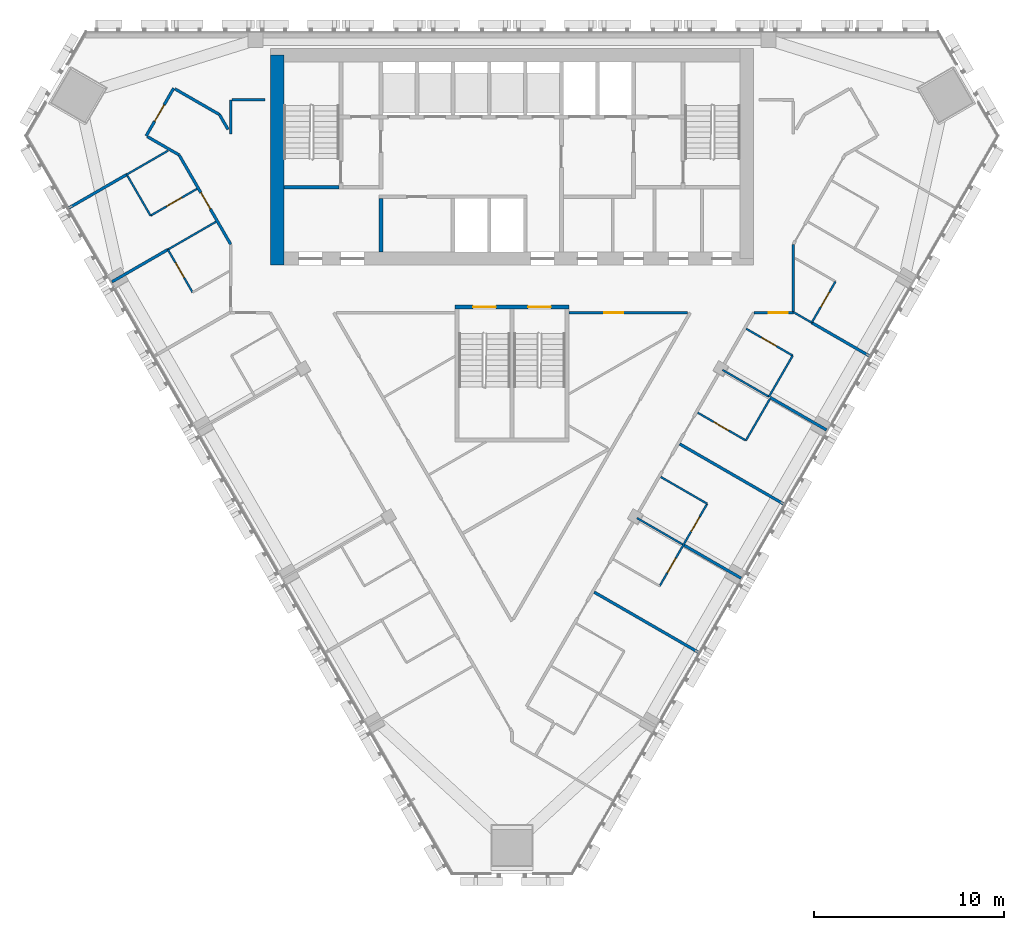
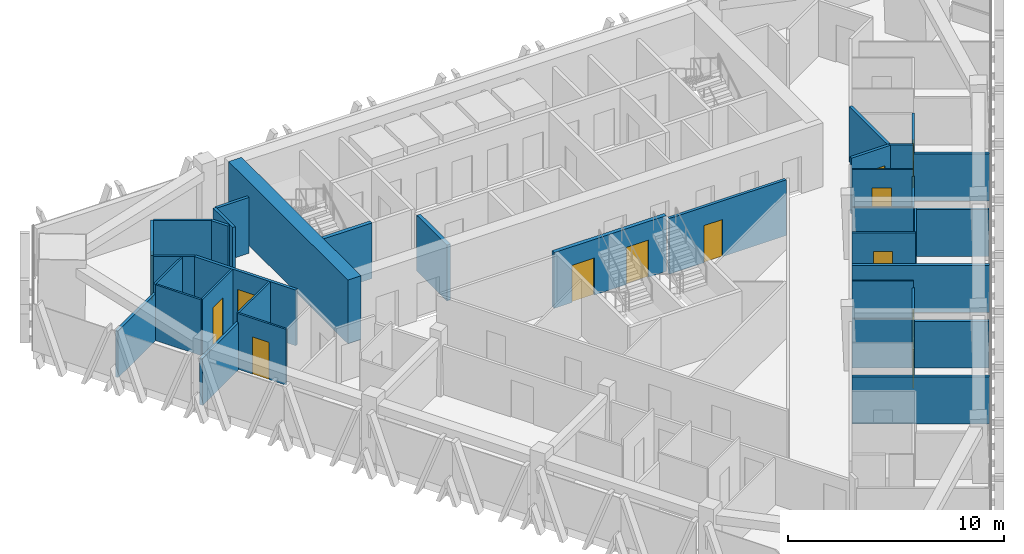
# One storey, part 10 of 16: 36 walls, 13 doors, 13 openings.
"""IFC4 building model written with IfcOpenShell, lengths in metres."""

from ifc_helpers import new_model, si_unit, direction, frame, frame_2d, origin, place, context, subcontext, project, spatial, rectangle, extrude, material, layer, layer_set, type_object, element, fill, save


model = new_model("IFC4")

# Units and contexts
model_context = context("Model", 3, precision=1e-05, world=origin(), true_north=direction((0.0, 1.0)))
body_context = subcontext(model_context, "Body", "Model", "MODEL_VIEW")
ifc_project = project(units=[si_unit("LENGTHUNIT", "METRE"), si_unit("AREAUNIT", "SQUARE_METRE"), si_unit("VOLUMEUNIT", "CUBIC_METRE"), si_unit("PLANEANGLEUNIT", "RADIAN"), si_unit("MASSUNIT", "GRAM", prefix="KILO")], contexts=[model_context])

# Site, building, storey
site_placement = place(None, origin())
site = spatial("IfcSite", under=ifc_project, at=site_placement, CompositionType="ELEMENT")
building_placement = place(site_placement, origin())
building = spatial("IfcBuilding", under=site, at=building_placement, Name="Altiplano Prism Tower", CompositionType="ELEMENT")
storey_placement = place(building_placement, frame((0.0, 0.0, 198.0)))
storey = spatial("IfcBuildingStorey", under=building, at=storey_placement, Name="L51", CompositionType="ELEMENT", Elevation=198.0)

# Wall
ifc_material_1 = material(Name="Concrete C60/75", Category="concrete")
ifc_layer_1 = layer(ifc_material_1, 0.699951171875)
ifc_layer_set_1 = layer_set([ifc_layer_1], Name="Concrete C60/75")
wall_type_1 = type_object("IfcWallType", Name="Core wall 700", PredefinedType="SHEAR", material=ifc_layer_set_1)
wall_1_placement = place(storey_placement, frame((72.64990234375, 103.75, 0.0), z_axis=(0.0, 0.0, 1.0), x_axis=(0.0, -1.0, 0.0)))
element("IfcWall", 1, at=wall_1_placement, inside=storey, type_object=wall_type_1, Name="Core wall W L51", PredefinedType="SHEAR", context=body_context, shape_type="SweptSolid", body=[
    extrude(rectangle(XDim=11.050048828125, YDim=0.699951171875, at=frame_2d((5.52490234375, 0.0))), origin(), (0.0, 0.0, 1.0), 3.60009765625),
])

# Wall, opening, door
ifc_material_2 = material(Name="Plasterboard on steel stud", Category="steel")
ifc_layer_2 = layer(ifc_material_2, 0.10009765625)
ifc_layer_set_2 = layer_set([ifc_layer_2], Name="Plasterboard on steel stud")
wall_type_2 = type_object("IfcWallType", Name="Partition 100 unit", PredefinedType="PARTITIONING", material=ifc_layer_set_2)
wall_2_placement = place(storey_placement, frame((68.42724609375, 96.716796875, 0.0), z_axis=(0.0, 0.0, 1.0), x_axis=(-0.866048868473, -0.499959355765, 0.0)))
wall_2 = element("IfcWall", 2, at=wall_2_placement, inside=storey, type_object=wall_type_2, Name="Partition P02 L51 032", PredefinedType="PARTITIONING", context=body_context, shape_type="SweptSolid", body=[
    extrude(rectangle(XDim=2.824951171875, YDim=0.10009765625, at=frame_2d((1.41259765625, 0.0))), origin(), (0.0, 0.0, 1.0), 3.14990234375),
])
opening_1_placement = place(wall_2_placement, frame((0.93798828125, 0.0, 0.0)))
opening_1 = element("IfcOpeningElement", 3, at=opening_1_placement, cuts=wall_2, Name="Opening D1779", PredefinedType="OPENING", context=body_context, shape_type="SweptSolid", body=[
    extrude(rectangle(XDim=0.89990234375, YDim=2.10009765625, at=frame_2d((0.449951171875, 1.050048828125))), frame((0.0, 0.060546875, 0.0), z_axis=(0.0, -1.0, 0.0), x_axis=(1.0, 0.0, 0.0)), (0.0, 0.0, 1.0), 0.12109375),
])
ifc_material_3 = material(Name="Timber", Category="wood")
door_type_1 = type_object("IfcDoorType", Name="Ensuite door 900 x 2100", OperationType="NOTDEFINED", PredefinedType="NOTDEFINED", material=ifc_material_3)
door_1_placement = place(opening_1_placement, origin())
door_1 = element("IfcDoor", 4, at=door_1_placement, inside=storey, type_object=door_type_1, Name="Door D1779", OperationType="SINGLE_SWING_RIGHT", OverallHeight=2.10009765625, OverallWidth=0.89990234375, PredefinedType="NOTDEFINED", context=body_context, shape_type="SweptSolid", body=[
    extrude(rectangle(XDim=0.89990234375, YDim=2.10009765625, at=frame_2d((0.449951171875, 1.050048828125))), frame((0.0, 0.02490234375, 0.0), z_axis=(0.0, -1.0, 0.0), x_axis=(1.0, 0.0, 0.0)), (0.0, 0.0, 1.0), 0.050048828125),
])
fill(opening_1, door_1)

# Wall
wall_3_placement = place(storey_placement, frame((65.980712890625, 95.304443359375, 0.0), z_axis=(0.0, 0.0, 1.0), x_axis=(-0.500047793048, 0.865997808697, 0.0)))
element("IfcWall", 5, at=wall_3_placement, inside=storey, type_object=wall_type_2, Name="Partition P02 L51 033", PredefinedType="PARTITIONING", context=body_context, shape_type="SweptSolid", body=[
    extrude(rectangle(XDim=2.425048828125, YDim=0.10009765625, at=frame_2d((1.21240234375, 0.0))), origin(), (0.0, 0.0, 1.0), 3.14990234375),
])

# Wall, opening, door
wall_4_placement = place(storey_placement, frame((68.194091796875, 91.2705078125, 0.0), z_axis=(0.0, 0.0, 1.0), x_axis=(-0.500006934395, 0.866021400173, 0.0)))
wall_4 = element("IfcWall", 6, at=wall_4_placement, inside=storey, type_object=wall_type_2, Name="Partition P02 L51 039", PredefinedType="PARTITIONING", context=body_context, shape_type="SweptSolid", body=[
    extrude(rectangle(XDim=2.60009765625, YDim=0.10009765625, at=frame_2d((1.300048828125, 0.0))), origin(), (0.0, 0.0, 1.0), 3.14990234375),
])
opening_2_placement = place(wall_4_placement, frame((0.89990234375, 0.0, 0.0)))
opening_2 = element("IfcOpeningElement", 7, at=opening_2_placement, cuts=wall_4, Name="Opening D1781", PredefinedType="OPENING", context=body_context, shape_type="SweptSolid", body=[
    extrude(rectangle(XDim=0.89990234375, YDim=2.10009765625, at=frame_2d((0.449951171875, 1.050048828125))), frame((0.0, 0.060546875, 0.0), z_axis=(0.0, -1.0, 0.0), x_axis=(1.0, 0.0, 0.0)), (0.0, 0.0, 1.0), 0.12109375),
])
door_2_placement = place(opening_2_placement, origin())
door_2 = element("IfcDoor", 8, at=door_2_placement, inside=storey, type_object=door_type_1, Name="Door D1781", OperationType="SINGLE_SWING_LEFT", OverallHeight=2.10009765625, OverallWidth=0.89990234375, PredefinedType="NOTDEFINED", context=body_context, shape_type="SweptSolid", body=[
    extrude(rectangle(XDim=0.89990234375, YDim=2.10009765625, at=frame_2d((0.449951171875, 1.050048828125))), frame((0.0, 0.02490234375, 0.0), z_axis=(0.0, -1.0, 0.0), x_axis=(1.0, 0.0, 0.0)), (0.0, 0.0, 1.0), 0.050048828125),
])
fill(opening_2, door_2)

# Wall
wall_5_placement = place(storey_placement, frame((92.82275390625, 81.561279296875, 0.0), z_axis=(0.0, 0.0, 1.0), x_axis=(0.866048868473, -0.499959355765, 0.0)))
element("IfcWall", 9, at=wall_5_placement, inside=storey, type_object=wall_type_2, Name="Partition P02 L51 063", PredefinedType="PARTITIONING", context=body_context, shape_type="SweptSolid", body=[
    extrude(rectangle(XDim=2.824951171875, YDim=0.10009765625, at=frame_2d((1.41259765625, 0.0))), origin(), (0.0, 0.0, 1.0), 3.14990234375),
])

# Wall, openings, doors
wall_6_placement = place(storey_placement, frame((95.269287109375, 80.14892578125, 0.0), z_axis=(0.0, 0.0, 1.0), x_axis=(-0.500004234368, -0.866022959057, 0.0)))
wall_6 = element("IfcWall", 10, at=wall_6_placement, inside=storey, type_object=wall_type_2, Name="Partition P02 L51 064", PredefinedType="PARTITIONING", context=body_context, shape_type="SweptSolid", body=[
    extrude(rectangle(XDim=5.0, YDim=0.10009765625, at=frame_2d((2.5, 0.0))), origin(), (0.0, 0.0, 1.0), 2.75),
])
opening_3_placement = place(wall_6_placement, frame((3.300048828125, 0.0, 0.0)))
opening_3 = element("IfcOpeningElement", 11, at=opening_3_placement, cuts=wall_6, Name="Opening D1795", PredefinedType="OPENING", context=body_context, shape_type="SweptSolid", body=[
    extrude(rectangle(XDim=0.89990234375, YDim=2.10009765625, at=frame_2d((0.449951171875, 1.050048828125))), frame((0.0, 0.060546875, 0.0), z_axis=(0.0, -1.0, 0.0), x_axis=(1.0, 0.0, 0.0)), (0.0, 0.0, 1.0), 0.12109375),
])
opening_4_placement = place(wall_6_placement, frame((0.800048828125, 0.0, 0.0)))
opening_4 = element("IfcOpeningElement", 12, at=opening_4_placement, cuts=wall_6, Name="Opening D1797", PredefinedType="OPENING", context=body_context, shape_type="SweptSolid", body=[
    extrude(rectangle(XDim=0.89990234375, YDim=2.10009765625, at=frame_2d((0.449951171875, 1.050048828125))), frame((0.0, 0.060546875, 0.0), z_axis=(0.0, -1.0, 0.0), x_axis=(1.0, 0.0, 0.0)), (0.0, 0.0, 1.0), 0.12109375),
])
door_3_placement = place(opening_3_placement, origin())
door_3 = element("IfcDoor", 13, at=door_3_placement, inside=storey, type_object=door_type_1, Name="Door D1795", OperationType="SINGLE_SWING_RIGHT", OverallHeight=2.10009765625, OverallWidth=0.89990234375, PredefinedType="NOTDEFINED", context=body_context, shape_type="SweptSolid", body=[
    extrude(rectangle(XDim=0.89990234375, YDim=2.10009765625, at=frame_2d((0.449951171875, 1.050048828125))), frame((0.0, 0.02490234375, 0.0), z_axis=(0.0, -1.0, 0.0), x_axis=(1.0, 0.0, 0.0)), (0.0, 0.0, 1.0), 0.050048828125),
])
fill(opening_3, door_3)
door_4_placement = place(opening_4_placement, origin())
door_4 = element("IfcDoor", 14, at=door_4_placement, inside=storey, type_object=door_type_1, Name="Door D1797", OperationType="SINGLE_SWING_LEFT", OverallHeight=2.10009765625, OverallWidth=0.89990234375, PredefinedType="NOTDEFINED", context=body_context, shape_type="SweptSolid", body=[
    extrude(rectangle(XDim=0.89990234375, YDim=2.10009765625, at=frame_2d((0.449951171875, 1.050048828125))), frame((0.0, 0.02490234375, 0.0), z_axis=(0.0, -1.0, 0.0), x_axis=(1.0, 0.0, 0.0)), (0.0, 0.0, 1.0), 0.050048828125),
])
fill(opening_4, door_4)

# Wall
wall_7_placement = place(storey_placement, frame((98.568359375, 85.6630859375, 0.0), z_axis=(0.0, 0.0, 1.0), x_axis=(-0.499976333282, -0.866039067339, 0.0)))
element("IfcWall", 15, at=wall_7_placement, inside=storey, type_object=wall_type_2, Name="Partition P02 L51 066", PredefinedType="PARTITIONING", context=body_context, shape_type="SweptSolid", body=[
    extrude(rectangle(XDim=2.52490234375, YDim=0.10009765625, at=frame_2d((1.262451171875, 0.0))), origin(), (0.0, 0.0, 1.0), 2.75),
])

# Wall, opening, door
wall_8_placement = place(storey_placement, frame((97.305908203125, 83.476318359375, 0.0), z_axis=(0.0, 0.0, 1.0), x_axis=(-0.86601045545, 0.500025890382, 0.0)))
wall_8 = element("IfcWall", 16, at=wall_8_placement, inside=storey, type_object=wall_type_2, Name="Partition P02 L51 067", PredefinedType="PARTITIONING", context=body_context, shape_type="SweptSolid", body=[
    extrude(rectangle(XDim=2.925048828125, YDim=0.10009765625, at=frame_2d((1.46240234375, 0.0))), origin(), (0.0, 0.0, 1.0), 3.14990234375),
])
opening_5_placement = place(wall_8_placement, frame((1.050048828125, 0.0, 0.0)))
opening_5 = element("IfcOpeningElement", 17, at=opening_5_placement, cuts=wall_8, Name="Opening D1799", PredefinedType="OPENING", context=body_context, shape_type="SweptSolid", body=[
    extrude(rectangle(XDim=0.89990234375, YDim=2.10009765625, at=frame_2d((0.449951171875, 1.050048828125))), frame((0.0, 0.060546875, 0.0), z_axis=(0.0, -1.0, 0.0), x_axis=(1.0, 0.0, 0.0)), (0.0, 0.0, 1.0), 0.12109375),
])
door_5_placement = place(opening_5_placement, origin())
door_5 = element("IfcDoor", 18, at=door_5_placement, inside=storey, type_object=door_type_1, Name="Door D1799", OperationType="SINGLE_SWING_RIGHT", OverallHeight=2.10009765625, OverallWidth=0.89990234375, PredefinedType="NOTDEFINED", context=body_context, shape_type="SweptSolid", body=[
    extrude(rectangle(XDim=0.89990234375, YDim=2.10009765625, at=frame_2d((0.449951171875, 1.050048828125))), frame((0.0, 0.02490234375, 0.0), z_axis=(0.0, -1.0, 0.0), x_axis=(1.0, 0.0, 0.0)), (0.0, 0.0, 1.0), 0.050048828125),
])
fill(opening_5, door_5)

wall_9_placement = place(storey_placement, frame((97.32275390625, 89.355712890625, 0.0), z_axis=(0.0, 0.0, 1.0), x_axis=(0.866011447264, -0.500024172624, 0.0)))
wall_9 = element("IfcWall", 19, at=wall_9_placement, inside=storey, type_object=wall_type_2, Name="Partition P02 L51 070", PredefinedType="PARTITIONING", context=body_context, shape_type="SweptSolid", body=[
    extrude(rectangle(XDim=2.824951171875, YDim=0.10009765625, at=frame_2d((1.41259765625, 0.0))), origin(), (0.0, 0.0, 1.0), 3.14990234375),
])
opening_6_placement = place(wall_9_placement, frame((0.925048828125, 0.0, 0.0)))
opening_6 = element("IfcOpeningElement", 20, at=opening_6_placement, cuts=wall_9, Name="Opening D1801", PredefinedType="OPENING", context=body_context, shape_type="SweptSolid", body=[
    extrude(rectangle(XDim=0.89990234375, YDim=2.10009765625, at=frame_2d((0.449951171875, 1.050048828125))), frame((0.0, 0.060546875, 0.0), z_axis=(0.0, -1.0, 0.0), x_axis=(1.0, 0.0, 0.0)), (0.0, 0.0, 1.0), 0.12109375),
])
door_6_placement = place(opening_6_placement, origin())
door_6 = element("IfcDoor", 21, at=door_6_placement, inside=storey, type_object=door_type_1, Name="Door D1801", OperationType="SINGLE_SWING_LEFT", OverallHeight=2.10009765625, OverallWidth=0.89990234375, PredefinedType="NOTDEFINED", context=body_context, shape_type="SweptSolid", body=[
    extrude(rectangle(XDim=0.89990234375, YDim=2.10009765625, at=frame_2d((0.449951171875, 1.050048828125))), frame((0.0, 0.02490234375, 0.0), z_axis=(0.0, -1.0, 0.0), x_axis=(1.0, 0.0, 0.0)), (0.0, 0.0, 1.0), 0.050048828125),
])
fill(opening_6, door_6)

# Wall
wall_10_placement = place(storey_placement, frame((99.769287109375, 87.943115234375, 0.0), z_axis=(0.0, 0.0, 1.0), x_axis=(-0.500004234368, -0.866022959057, 0.0)))
element("IfcWall", 22, at=wall_10_placement, inside=storey, type_object=wall_type_2, Name="Partition P02 L51 071", PredefinedType="PARTITIONING", context=body_context, shape_type="SweptSolid", body=[
    extrude(rectangle(XDim=2.5, YDim=0.10009765625, at=frame_2d((1.25, 0.0))), origin(), (0.0, 0.0, 1.0), 2.75),
])

# Wall, opening, door
wall_11_placement = place(storey_placement, frame((102.019287109375, 91.84033203125, 0.0), z_axis=(0.0, 0.0, 1.0), x_axis=(-0.499961950354, -0.866047370643, 0.0)))
wall_11 = element("IfcWall", 23, at=wall_11_placement, inside=storey, type_object=wall_type_2, Name="Partition P02 L51 075", PredefinedType="PARTITIONING", context=body_context, shape_type="SweptSolid", body=[
    extrude(rectangle(XDim=2.500244140625, YDim=0.10009765625, at=frame_2d((1.25, 0.0))), origin(), (0.0, 0.0, 1.0), 3.14990234375),
])
opening_7_placement = place(wall_11_placement, frame((0.636962890625, 0.0, 0.0)))
opening_7 = element("IfcOpeningElement", 24, at=opening_7_placement, cuts=wall_11, Name="Opening D1803", PredefinedType="OPENING", context=body_context, shape_type="SweptSolid", body=[
    extrude(rectangle(XDim=0.89990234375, YDim=2.10009765625, at=frame_2d((0.449951171875, 1.050048828125))), frame((0.0, 0.060546875, 0.0), z_axis=(0.0, -1.0, 0.0), x_axis=(1.0, 0.0, 0.0)), (0.0, 0.0, 1.0), 0.12109375),
])
door_7_placement = place(opening_7_placement, origin())
door_7 = element("IfcDoor", 25, at=door_7_placement, inside=storey, type_object=door_type_1, Name="Door D1803", OperationType="SINGLE_SWING_LEFT", OverallHeight=2.10009765625, OverallWidth=0.89990234375, PredefinedType="NOTDEFINED", context=body_context, shape_type="SweptSolid", body=[
    extrude(rectangle(XDim=0.89990234375, YDim=2.10009765625, at=frame_2d((0.449951171875, 1.050048828125))), frame((0.0, 0.02490234375, 0.0), z_axis=(0.0, -1.0, 0.0), x_axis=(1.0, 0.0, 0.0)), (0.0, 0.0, 1.0), 0.050048828125),
])
fill(opening_7, door_7)

# Walls
ifc_layer_3 = layer(ifc_material_2, 0.10009765625)
ifc_layer_set_3 = layer_set([ifc_layer_3], Name="Plasterboard on steel stud")
wall_type_3 = type_object("IfcWallType", Name="Partition 100 wet", PredefinedType="PARTITIONING", material=ifc_layer_set_3)
wall_12_placement = place(storey_placement, frame((66.89404296875, 93.522216796875, 0.0), z_axis=(0.0, 0.0, 1.0), x_axis=(0.86601045545, 0.500025890382, 0.0)))
element("IfcWall", 26, at=wall_12_placement, inside=storey, type_object=wall_type_3, Name="Partition P03 L51 035", PredefinedType="PARTITIONING", context=body_context, shape_type="SweptSolid", body=[
    extrude(rectangle(XDim=2.925048828125, YDim=0.10009765625, at=frame_2d((1.46240234375, 0.0))), origin(), (0.0, 0.0, 1.0), 3.14990234375),
])
wall_13_placement = place(storey_placement, frame((66.89990234375, 98.721923828125, 0.0), z_axis=(0.0, 0.0, 1.0), x_axis=(-0.866014894461, -0.50001820224, 0.0)))
element("IfcWall", 27, at=wall_13_placement, inside=storey, type_object=wall_type_3, Name="Partition P03 L51 037", PredefinedType="PARTITIONING", context=body_context, shape_type="SweptSolid", body=[
    extrude(rectangle(XDim=2.52490234375, YDim=0.10009765625, at=frame_2d((1.262451171875, 0.0))), origin(), (0.0, 0.0, 1.0), 3.14990234375),
])
wall_14_placement = place(storey_placement, frame((93.97607421875, 78.0087890625, 0.0), z_axis=(0.0, 0.0, 1.0), x_axis=(-0.866042014628, 0.499971228071, 0.0)))
element("IfcWall", 28, at=wall_14_placement, inside=storey, type_object=wall_type_3, Name="Partition P03 L51 062", PredefinedType="PARTITIONING", context=body_context, shape_type="SweptSolid", body=[
    extrude(rectangle(XDim=2.775146484375, YDim=0.10009765625, at=frame_2d((1.3876953125, 0.0))), origin(), (0.0, 0.0, 1.0), 2.75),
])
wall_15_placement = place(storey_placement, frame((98.519287109375, 85.778076171875, 0.0), z_axis=(0.0, 0.0, 1.0), x_axis=(-0.866011447264, 0.500024172624, 0.0)))
element("IfcWall", 29, at=wall_15_placement, inside=storey, type_object=wall_type_3, Name="Partition P03 L51 069", PredefinedType="PARTITIONING", context=body_context, shape_type="SweptSolid", body=[
    extrude(rectangle(XDim=2.824951171875, YDim=0.10009765625, at=frame_2d((1.41259765625, 0.0))), origin(), (0.0, 0.0, 1.0), 2.75),
])
wall_16_placement = place(storey_placement, frame((100.769287109375, 89.675048828125, 0.0), z_axis=(0.0, 0.0, 1.0), x_axis=(-0.865938551386, 0.500150402602, 0.0)))
element("IfcWall", 30, at=wall_16_placement, inside=storey, type_object=wall_type_3, Name="Partition P03 L51 073", PredefinedType="PARTITIONING", context=body_context, shape_type="SweptSolid", body=[
    extrude(rectangle(XDim=1.119384765625, YDim=0.10009765625, at=frame_2d((0.5595703125, 0.0))), origin(), (0.0, 0.0, 1.0), 3.14990234375),
])

# Wall, opening, door
ifc_layer_4 = layer(ifc_material_2, 0.14990234375)
ifc_layer_set_4 = layer_set([ifc_layer_4], Name="Plasterboard on steel stud")
wall_type_4 = type_object("IfcWallType", Name="Partition 150 corridor", PredefinedType="PARTITIONING", material=ifc_layer_set_4)
wall_17_placement = place(storey_placement, frame((88.0, 90.198974609375, 0.0), z_axis=(0.0, 0.0, 1.0), x_axis=(1.0, 0.0, 0.0)))
wall_17 = element("IfcWall", 31, at=wall_17_placement, inside=storey, type_object=wall_type_4, Name="Partition P06 L51 001", PredefinedType="PARTITIONING", context=body_context, shape_type="SweptSolid", body=[
    extrude(rectangle(XDim=6.243408203125, YDim=0.14990234375, at=frame_2d((3.12158203125, 0.0))), origin(), (0.0, 0.0, 1.0), 3.14990234375),
])
opening_8_placement = place(wall_17_placement, frame((1.844970703125, 0.0, 0.0)))
opening_8 = element("IfcOpeningElement", 32, at=opening_8_placement, cuts=wall_17, Name="Opening D1776", PredefinedType="OPENING", context=body_context, shape_type="SweptSolid", body=[
    extrude(rectangle(XDim=1.0, YDim=2.10009765625, at=frame_2d((0.5, 1.050048828125))), frame((0.0, 0.08544921875, 0.0), z_axis=(0.0, -1.0, 0.0), x_axis=(1.0, 0.0, 0.0)), (0.0, 0.0, 1.0), 0.1708984375),
])
door_type_2 = type_object("IfcDoorType", Name="Store door 1000 x 2100", OperationType="NOTDEFINED", PredefinedType="NOTDEFINED", material=ifc_material_3)
door_8_placement = place(opening_8_placement, origin())
door_8 = element("IfcDoor", 33, at=door_8_placement, inside=storey, type_object=door_type_2, Name="Door D1776", OperationType="SINGLE_SWING_RIGHT", OverallHeight=2.10009765625, OverallWidth=1.0, PredefinedType="NOTDEFINED", context=body_context, shape_type="SweptSolid", body=[
    extrude(rectangle(XDim=1.0, YDim=2.10009765625, at=frame_2d((0.5, 1.050048828125))), frame((0.0, 0.02490234375, 0.0), z_axis=(0.0, -1.0, 0.0), x_axis=(1.0, 0.0, 0.0)), (0.0, 0.0, 1.0), 0.050048828125),
])
fill(opening_8, door_8)

wall_18_placement = place(storey_placement, frame((67.484375, 98.5, 0.0), z_axis=(0.0, 0.0, 1.0), x_axis=(0.499972772639, -0.866041122938, 0.0)))
wall_18 = element("IfcWall", 34, at=wall_18_placement, inside=storey, type_object=wall_type_4, Name="Partition P06 L51 004", PredefinedType="PARTITIONING", context=body_context, shape_type="SweptSolid", body=[
    extrude(rectangle(XDim=5.431396484375, YDim=0.14990234375, at=frame_2d((2.7158203125, 0.0))), origin(), (0.0, 0.0, 1.0), 3.14990234375),
])
opening_9_placement = place(wall_18_placement, frame((2.294921875, 0.0, 0.0)))
opening_9 = element("IfcOpeningElement", 35, at=opening_9_placement, cuts=wall_18, Name="Opening D1778", PredefinedType="OPENING", context=body_context, shape_type="SweptSolid", body=[
    extrude(rectangle(XDim=1.0, YDim=2.10009765625, at=frame_2d((0.5, 1.050048828125))), frame((0.0, 0.08544921875, 0.0), z_axis=(0.0, -1.0, 0.0), x_axis=(1.0, 0.0, 0.0)), (0.0, 0.0, 1.0), 0.1708984375),
])
door_type_3 = type_object("IfcDoorType", Name="Bedroom entrance door 1000 x 2100", OperationType="NOTDEFINED", PredefinedType="NOTDEFINED", material=ifc_material_3)
door_9_placement = place(opening_9_placement, origin())
door_9 = element("IfcDoor", 36, at=door_9_placement, inside=storey, type_object=door_type_3, Name="Door D1778", OperationType="SINGLE_SWING_LEFT", OverallHeight=2.10009765625, OverallWidth=1.0, PredefinedType="NOTDEFINED", context=body_context, shape_type="SweptSolid", body=[
    extrude(rectangle(XDim=1.0, YDim=2.10009765625, at=frame_2d((0.5, 1.050048828125))), frame((0.0, 0.02490234375, 0.0), z_axis=(0.0, -1.0, 0.0), x_axis=(1.0, 0.0, 0.0)), (0.0, 0.0, 1.0), 0.050048828125),
])
fill(opening_9, door_9)

wall_19_placement = place(storey_placement, frame((97.7236328125, 90.199951171875, 0.0), z_axis=(0.0, 0.0, 1.0), x_axis=(1.0, 0.0, 0.0)))
wall_19 = element("IfcWall", 37, at=wall_19_placement, inside=storey, type_object=wall_type_4, Name="Partition P06 L51 012", PredefinedType="PARTITIONING", context=body_context, shape_type="SweptSolid", body=[
    extrude(rectangle(XDim=2.076416015625, YDim=0.14990234375, at=frame_2d((1.0380859375, 0.0))), origin(), (0.0, 0.0, 1.0), 3.14990234375),
])
opening_10_placement = place(wall_19_placement, frame((0.797119140625, 0.0, 0.0)))
opening_10 = element("IfcOpeningElement", 38, at=opening_10_placement, cuts=wall_19, Name="Opening D1800", PredefinedType="OPENING", context=body_context, shape_type="SweptSolid", body=[
    extrude(rectangle(XDim=1.0, YDim=2.10009765625, at=frame_2d((0.5, 1.050048828125))), frame((0.0, 0.08544921875, 0.0), z_axis=(0.0, -1.0, 0.0), x_axis=(1.0, 0.0, 0.0)), (0.0, 0.0, 1.0), 0.1708984375),
])
door_10_placement = place(opening_10_placement, origin())
door_10 = element("IfcDoor", 39, at=door_10_placement, inside=storey, type_object=door_type_3, Name="Door D1800", OperationType="SINGLE_SWING_RIGHT", OverallHeight=2.10009765625, OverallWidth=1.0, PredefinedType="NOTDEFINED", context=body_context, shape_type="SweptSolid", body=[
    extrude(rectangle(XDim=1.0, YDim=2.10009765625, at=frame_2d((0.5, 1.050048828125))), frame((0.0, 0.02490234375, 0.0), z_axis=(0.0, -1.0, 0.0), x_axis=(1.0, 0.0, 0.0)), (0.0, 0.0, 1.0), 0.050048828125),
])
fill(opening_10, door_10)

# Walls
wall_20_placement = place(storey_placement, frame((99.800048828125, 90.23486328125, 0.0), z_axis=(0.0, 0.0, 1.0), x_axis=(0.0, 1.0, 0.0)))
element("IfcWall", 40, at=wall_20_placement, inside=storey, type_object=wall_type_4, Name="Partition P06 L51 013", PredefinedType="PARTITIONING", context=body_context, shape_type="SweptSolid", body=[
    extrude(rectangle(XDim=3.561279296875, YDim=0.14990234375, at=frame_2d((1.78076171875, 0.0))), origin(), (0.0, 0.0, 1.0), 3.14990234375),
])
wall_21_placement = place(storey_placement, frame((72.0, 101.40087890625, 0.0), z_axis=(0.0, 0.0, 1.0), x_axis=(-1.0, 0.0, 0.0)))
element("IfcWall", 41, at=wall_21_placement, inside=storey, type_object=wall_type_4, Name="Partition P06 L51 015", PredefinedType="PARTITIONING", context=body_context, shape_type="SweptSolid", body=[
    extrude(rectangle(XDim=1.72509765625, YDim=0.14990234375, at=frame_2d((0.862548828125, 0.0))), origin(), (0.0, 0.0, 1.0), 3.14990234375),
])
wall_22_placement = place(storey_placement, frame((70.199951171875, 101.40087890625, 0.0), z_axis=(0.0, 0.0, 1.0), x_axis=(-0.000542225757, -0.999999852996, 0.0)))
element("IfcWall", 42, at=wall_22_placement, inside=storey, type_object=wall_type_4, Name="Partition P06 L51 016", PredefinedType="PARTITIONING", context=body_context, shape_type="SweptSolid", body=[
    extrude(rectangle(XDim=1.801025390625, YDim=0.14990234375, at=frame_2d((0.900390625, 0.0))), origin(), (0.0, 0.0, 1.0), 3.14990234375),
])
wall_23_placement = place(storey_placement, frame((70.05908203125, 99.842041015625, 0.0), z_axis=(0.0, 0.0, 1.0), x_axis=(-0.499777110788, 0.866154050694, 0.0)))
element("IfcWall", 43, at=wall_23_placement, inside=storey, type_object=wall_type_4, Name="Partition P06 L51 017", PredefinedType="PARTITIONING", context=body_context, shape_type="SweptSolid", body=[
    extrude(rectangle(XDim=0.90234375, YDim=0.14990234375, at=frame_2d((0.451171875, 0.0))), origin(), (0.0, 0.0, 1.0), 3.14990234375),
])
wall_24_placement = place(storey_placement, frame((69.608154296875, 100.62353515625, 0.0), z_axis=(0.0, 0.0, 1.0), x_axis=(-0.866027634565, 0.499996136155, 0.0)))
element("IfcWall", 44, at=wall_24_placement, inside=storey, type_object=wall_type_4, Name="Partition P06 L51 018", PredefinedType="PARTITIONING", context=body_context, shape_type="SweptSolid", body=[
    extrude(rectangle(XDim=2.70263671875, YDim=0.14990234375, at=frame_2d((1.351318359375, 0.0))), origin(), (0.0, 0.0, 1.0), 3.14990234375),
])

# Wall, opening, door
wall_25_placement = place(storey_placement, frame((67.20263671875, 102.012451171875, 0.0), z_axis=(0.0, 0.0, 1.0), x_axis=(-0.500229925737, -0.865892615396, 0.0)))
wall_25 = element("IfcWall", 45, at=wall_25_placement, inside=storey, type_object=wall_type_4, Name="Partition P06 L51 019", PredefinedType="PARTITIONING", context=body_context, shape_type="SweptSolid", body=[
    extrude(rectangle(XDim=2.901123046875, YDim=0.14990234375, at=frame_2d((1.45068359375, 0.0))), origin(), (0.0, 0.0, 1.0), 3.14990234375),
])
opening_11_placement = place(wall_25_placement, frame((1.009033203125, 0.0, 0.0)))
opening_11 = element("IfcOpeningElement", 46, at=opening_11_placement, cuts=wall_25, Name="Opening D1806", PredefinedType="OPENING", context=body_context, shape_type="SweptSolid", body=[
    extrude(rectangle(XDim=1.0, YDim=2.10009765625, at=frame_2d((0.5, 1.050048828125))), frame((0.0, 0.08544921875, 0.0), z_axis=(0.0, -1.0, 0.0), x_axis=(1.0, 0.0, 0.0)), (0.0, 0.0, 1.0), 0.1708984375),
])
door_type_4 = type_object("IfcDoorType", Name="Room door 1000 x 2100", OperationType="NOTDEFINED", PredefinedType="NOTDEFINED", material=ifc_material_3)
door_11_placement = place(opening_11_placement, origin())
door_11 = element("IfcDoor", 47, at=door_11_placement, inside=storey, type_object=door_type_4, Name="Door D1806", OperationType="SINGLE_SWING_RIGHT", OverallHeight=2.10009765625, OverallWidth=1.0, PredefinedType="NOTDEFINED", context=body_context, shape_type="SweptSolid", body=[
    extrude(rectangle(XDim=1.0, YDim=2.10009765625, at=frame_2d((0.5, 1.050048828125))), frame((0.0, 0.02490234375, 0.0), z_axis=(0.0, -1.0, 0.0), x_axis=(1.0, 0.0, 0.0)), (0.0, 0.0, 1.0), 0.050048828125),
])
fill(opening_11, door_11)

# Walls
wall_26_placement = place(storey_placement, frame((65.81640625, 99.462890625, 0.0), z_axis=(0.0, 0.0, 1.0), x_axis=(0.86605048973, -0.49995654735, 0.0)))
element("IfcWall", 48, at=wall_26_placement, inside=storey, type_object=wall_type_4, Name="Partition P06 L51 020", PredefinedType="PARTITIONING", context=body_context, shape_type="SweptSolid", body=[
    extrude(rectangle(XDim=1.926025390625, YDim=0.14990234375, at=frame_2d((0.962890625, 0.0))), origin(), (0.0, 0.0, 1.0), 3.14990234375),
])
ifc_layer_5 = layer(ifc_material_2, 0.14990234375)
ifc_layer_set_5 = layer_set([ifc_layer_5], Name="Plasterboard on steel stud")
wall_type_5 = type_object("IfcWallType", Name="Partition 150 party", PredefinedType="PARTITIONING", material=ifc_layer_set_5)
wall_27_placement = place(storey_placement, frame((63.949462890625, 91.822265625, 0.0), z_axis=(0.0, 0.0, 1.0), x_axis=(0.866038511948, 0.499977295307, 0.0)))
element("IfcWall", 49, at=wall_27_placement, inside=storey, type_object=wall_type_5, Name="Partition P01 L51 034", PredefinedType="PARTITIONING", context=body_context, shape_type="SweptSolid", body=[
    extrude(rectangle(XDim=3.400146484375, YDim=0.14990234375, at=frame_2d((1.7001953125, 0.0))), origin(), (0.0, 0.0, 1.0), 2.64990234375),
])
wall_28_placement = place(storey_placement, frame((64.748046875, 97.4794921875, 0.0), z_axis=(0.0, 0.0, 1.0), x_axis=(-0.866006432019, -0.500032858622, 0.0)))
element("IfcWall", 50, at=wall_28_placement, inside=storey, type_object=wall_type_5, Name="Partition P01 L51 036", PredefinedType="PARTITIONING", context=body_context, shape_type="SweptSolid", body=[
    extrude(rectangle(XDim=3.540283203125, YDim=0.14990234375, at=frame_2d((1.77001953125, 0.0))), origin(), (0.0, 0.0, 1.0), 2.64990234375),
])
wall_29_placement = place(storey_placement, frame((94.81787109375, 72.32666015625, 0.0), z_axis=(0.0, 0.0, 1.0), x_axis=(-0.866025401434, 0.500000004071, 0.0)))
element("IfcWall", 51, at=wall_29_placement, inside=storey, type_object=wall_type_5, Name="Partition P01 L51 059", PredefinedType="PARTITIONING", context=body_context, shape_type="SweptSolid", body=[
    extrude(rectangle(XDim=6.34521484375, YDim=0.14990234375, at=frame_2d((3.172607421875, 0.0))), origin(), (0.0, 0.0, 1.0), 2.64990234375),
])
wall_30_placement = place(storey_placement, frame((97.050537109375, 76.23388671875, 0.0), z_axis=(0.0, 0.0, 1.0), x_axis=(-0.866044174857, 0.499967486139, 0.0)))
element("IfcWall", 52, at=wall_30_placement, inside=storey, type_object=wall_type_5, Name="Partition P01 L51 061", PredefinedType="PARTITIONING", context=body_context, shape_type="SweptSolid", body=[
    extrude(rectangle(XDim=3.449951171875, YDim=0.14990234375, at=frame_2d((1.72509765625, 0.0))), origin(), (0.0, 0.0, 1.0), 2.64990234375),
])
wall_31_placement = place(storey_placement, frame((99.31787109375, 80.120849609375, 0.0), z_axis=(0.0, 0.0, 1.0), x_axis=(-0.866025401434, 0.500000004071, 0.0)))
element("IfcWall", 53, at=wall_31_placement, inside=storey, type_object=wall_type_5, Name="Partition P01 L51 065", PredefinedType="PARTITIONING", context=body_context, shape_type="SweptSolid", body=[
    extrude(rectangle(XDim=6.34521484375, YDim=0.14990234375, at=frame_2d((3.172607421875, 0.0))), origin(), (0.0, 0.0, 1.0), 2.64990234375),
])
wall_32_placement = place(storey_placement, frame((101.550537109375, 84.028076171875, 0.0), z_axis=(0.0, 0.0, 1.0), x_axis=(-0.866038183914, 0.499977863513, 0.0)))
element("IfcWall", 54, at=wall_32_placement, inside=storey, type_object=wall_type_5, Name="Partition P01 L51 068", PredefinedType="PARTITIONING", context=body_context, shape_type="SweptSolid", body=[
    extrude(rectangle(XDim=3.420166015625, YDim=0.14990234375, at=frame_2d((1.7099609375, 0.0))), origin(), (0.0, 0.0, 1.0), 2.64990234375),
])
wall_33_placement = place(storey_placement, frame((103.81787109375, 87.9150390625, 0.0), z_axis=(0.0, 0.0, 1.0), x_axis=(-0.866036599697, 0.499980607609, 0.0)))
element("IfcWall", 55, at=wall_33_placement, inside=storey, type_object=wall_type_5, Name="Partition P01 L51 072", PredefinedType="PARTITIONING", context=body_context, shape_type="SweptSolid", body=[
    extrude(rectangle(XDim=3.520263671875, YDim=0.14990234375, at=frame_2d((1.76025390625, 0.0))), origin(), (0.0, 0.0, 1.0), 2.64990234375),
])
ifc_layer_6 = layer(ifc_material_1, 0.199951171875)
ifc_layer_set_6 = layer_set([ifc_layer_6], Name="Concrete C60/75")
wall_type_6 = type_object("IfcWallType", Name="Stair wall 200", PredefinedType="SOLIDWALL", material=ifc_layer_set_6)
wall_34_placement = place(storey_placement, frame((73.0, 96.800048828125, 0.0), z_axis=(0.0, 0.0, 1.0), x_axis=(1.0, 0.0, 0.0)))
element("IfcWall", 56, at=wall_34_placement, inside=storey, type_object=wall_type_6, Name="Stair wall L51", PredefinedType="SOLIDWALL", context=body_context, shape_type="SweptSolid", body=[
    extrude(rectangle(XDim=2.89990234375, YDim=0.199951171875, at=frame_2d((1.449951171875, 0.0))), origin(), (0.0, 0.0, 1.0), 3.14990234375),
])

# Wall, openings, doors
wall_35_placement = place(storey_placement, frame((82.0, 90.5, 0.0), z_axis=(0.0, 0.0, 1.0), x_axis=(1.0, 0.0, 0.0)))
wall_35 = element("IfcWall", 57, at=wall_35_placement, inside=storey, type_object=wall_type_6, Name="Stair 3 wall north L51", PredefinedType="SOLIDWALL", context=body_context, shape_type="SweptSolid", body=[
    extrude(rectangle(XDim=6.0, YDim=0.199951171875, at=frame_2d((3.0, 0.0))), origin(), (0.0, 0.0, 1.0), 3.14990234375),
])
opening_12_placement = place(wall_35_placement, frame((0.949951171875, 0.0, 0.0)))
opening_12 = element("IfcOpeningElement", 58, at=opening_12_placement, cuts=wall_35, Name="Opening D4024", PredefinedType="OPENING", context=body_context, shape_type="SweptSolid", body=[
    extrude(rectangle(XDim=1.199951171875, YDim=2.10009765625, at=frame_2d((0.60009765625, 1.050048828125))), frame((0.0, 0.1103515625, 0.0), z_axis=(0.0, -1.0, 0.0), x_axis=(1.0, 0.0, 0.0)), (0.0, 0.0, 1.0), 0.220947265625),
])
opening_13_placement = place(wall_35_placement, frame((3.85009765625, 0.0, 0.0)))
opening_13 = element("IfcOpeningElement", 59, at=opening_13_placement, cuts=wall_35, Name="Opening D4025", PredefinedType="OPENING", context=body_context, shape_type="SweptSolid", body=[
    extrude(rectangle(XDim=1.199951171875, YDim=2.10009765625, at=frame_2d((0.60009765625, 1.050048828125))), frame((0.0, 0.1103515625, 0.0), z_axis=(0.0, -1.0, 0.0), x_axis=(1.0, 0.0, 0.0)), (0.0, 0.0, 1.0), 0.220947265625),
])
ifc_material_4 = material(Name="Fire-rated steel door", Category="steel")
door_type_5 = type_object("IfcDoorType", Name="Stair fire door 1200 x 2100", OperationType="NOTDEFINED", PredefinedType="NOTDEFINED", material=ifc_material_4)
door_12_placement = place(opening_12_placement, origin())
door_12 = element("IfcDoor", 60, at=door_12_placement, inside=storey, type_object=door_type_5, Name="Stair fire door D4024", OperationType="SINGLE_SWING_LEFT", OverallHeight=2.10009765625, OverallWidth=1.199951171875, PredefinedType="NOTDEFINED", context=body_context, shape_type="SweptSolid", body=[
    extrude(rectangle(XDim=1.199951171875, YDim=2.10009765625, at=frame_2d((0.60009765625, 1.050048828125))), frame((0.0, 0.02490234375, 0.0), z_axis=(0.0, -1.0, 0.0), x_axis=(1.0, 0.0, 0.0)), (0.0, 0.0, 1.0), 0.050048828125),
])
fill(opening_12, door_12)
door_13_placement = place(opening_13_placement, origin())
door_13 = element("IfcDoor", 61, at=door_13_placement, inside=storey, type_object=door_type_5, Name="Stair fire door D4025", OperationType="SINGLE_SWING_LEFT", OverallHeight=2.10009765625, OverallWidth=1.199951171875, PredefinedType="NOTDEFINED", context=body_context, shape_type="SweptSolid", body=[
    extrude(rectangle(XDim=1.199951171875, YDim=2.10009765625, at=frame_2d((0.60009765625, 1.050048828125))), frame((0.0, 0.02490234375, 0.0), z_axis=(0.0, -1.0, 0.0), x_axis=(1.0, 0.0, 0.0)), (0.0, 0.0, 1.0), 0.050048828125),
])
fill(opening_13, door_13)

# Wall
ifc_layer_7 = layer(ifc_material_1, 0.199951171875)
ifc_layer_set_7 = layer_set([ifc_layer_7], Name="Concrete C60/75")
wall_type_7 = type_object("IfcWallType", Name="Vestibule wall 200", PredefinedType="PARTITIONING", material=ifc_layer_set_7)
wall_36_placement = place(storey_placement, frame((78.10009765625, 93.39990234375, 0.0), z_axis=(0.0, 0.0, 1.0), x_axis=(0.0, 1.0, 0.0)))
element("IfcWall", 62, at=wall_36_placement, inside=storey, type_object=wall_type_7, Name="Vestibule wall L51", PredefinedType="PARTITIONING", context=body_context, shape_type="SweptSolid", body=[
    extrude(rectangle(XDim=2.800048828125, YDim=0.199951171875, at=frame_2d((1.39990234375, 0.0))), origin(), (0.0, 0.0, 1.0), 3.14990234375),
])

save(model, "model.ifc")
